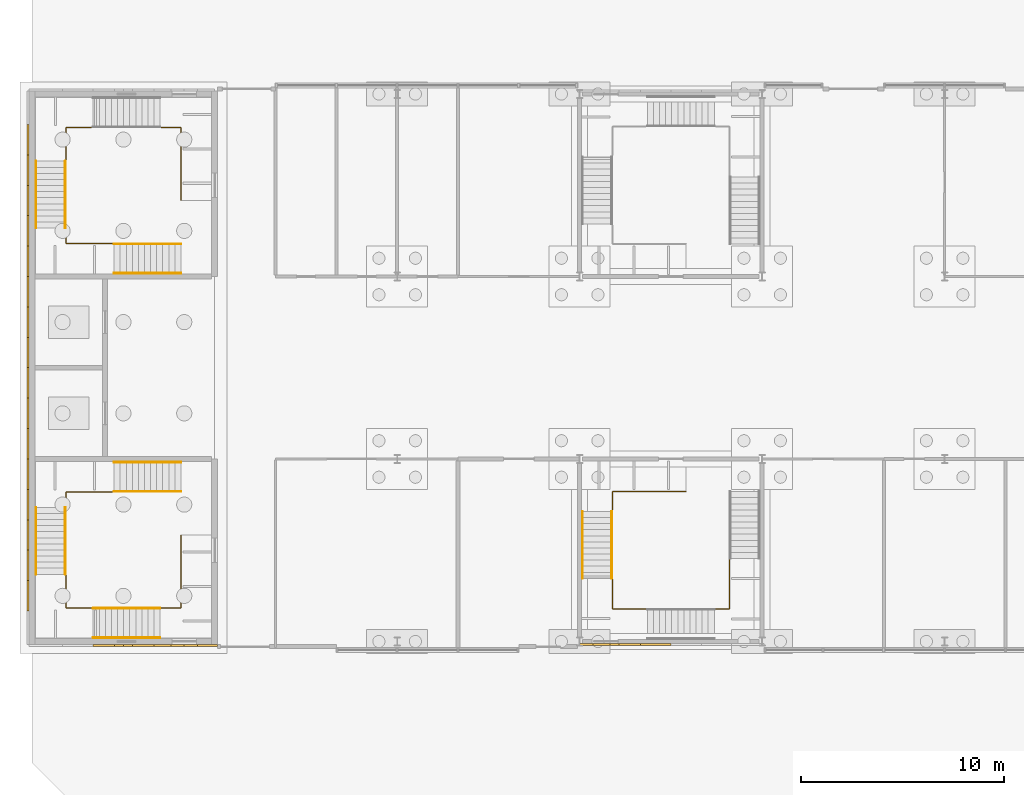
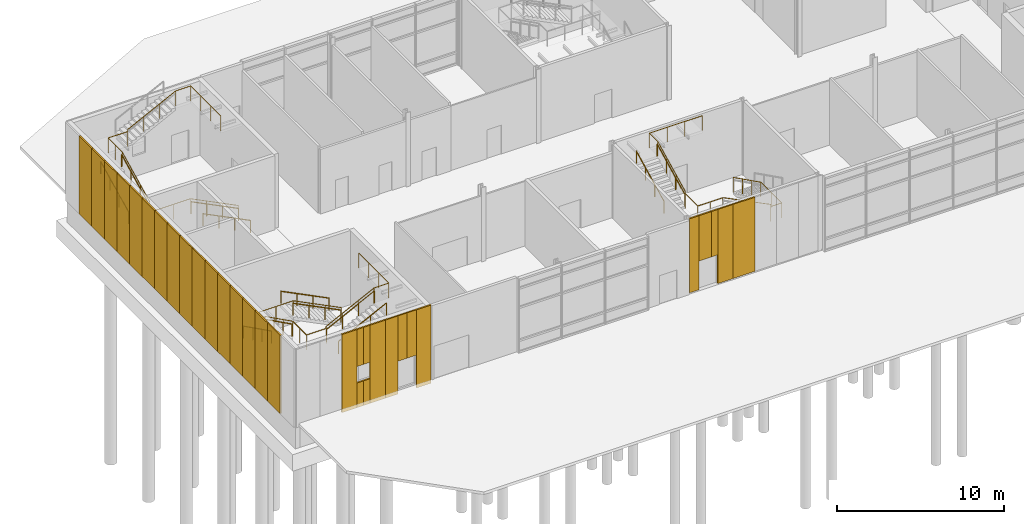
# One storey, part 39 of 45: 31 coverings, 15 railings.
"""IFC4 building model written with IfcOpenShell, lengths in metres."""

import ifcopenshell
import ifcopenshell.guid

model = None  # the IFC model being written
_history = None  # IfcOwnerHistory: only IFC2X3 demands one
_inside = {}  # id of a spatial element -> (the spatial element, [elements in it])
_under = {}  # id of a project, library or spatial element -> (it, [spatial elements below it])
_declared = {}  # id of a project -> (the project, [libraries it declares])
_typed = {}  # id of a type object -> (the type object, [elements of that type])
_made_of = {}  # id of a material, layer set ... -> (it, [elements and type objects made of it])


def new_model(schema):
    """Start an empty IFC model of exactly this schema.

    Asked for "IFC4X3", IfcOpenShell would pick the latest addendum, in which some entities
    have other attributes; the version numbers below select the first issue.
    IFC2X3 requires an IfcOwnerHistory on every rooted entity: one is made here for all.
    """
    global model, _history
    if schema == "IFC4X3":
        model = ifcopenshell.file(schema_version=(4, 3, 0, 0))
    else:
        model = ifcopenshell.file(schema=schema)
    _inside.clear()
    _under.clear()
    _declared.clear()
    _typed.clear()
    _made_of.clear()
    _history = None
    if model.schema == "IFC2X3":
        org = make("IfcOrganization", Name="unknown")
        user = make(
            "IfcPersonAndOrganization",
            ThePerson=make("IfcPerson", FamilyName="unknown"),
            TheOrganization=org,
        )
        app = make(
            "IfcApplication",
            ApplicationDeveloper=org,
            Version="unknown",
            ApplicationFullName="unknown",
            ApplicationIdentifier="unknown",
        )
        _history = make(
            "IfcOwnerHistory",
            OwningUser=user,
            OwningApplication=app,
            ChangeAction="ADDED",
            CreationDate=0,
        )
    return model


def make(cls, **values):
    """One entity of the class cls with the attributes given. An attribute that is None is left unset."""
    return model.create_entity(
        cls, **{name: value for name, value in values.items() if value is not None}
    )


def rooted(cls, **values):
    """An entity with a GlobalId (a new one), such as an element, a storey or a relation."""
    return make(cls, GlobalId=ifcopenshell.guid.new(), OwnerHistory=_history, **values)


def si_unit(unit_type, name, prefix=None):
    """IfcSIUnit, for example si_unit("LENGTHUNIT", "METRE", prefix="MILLI")."""
    return make("IfcSIUnit", UnitType=unit_type, Prefix=prefix, Name=name)


def assignment(units):
    """IfcUnitAssignment: the units of a project."""
    return None if units is None else make("IfcUnitAssignment", Units=units)


def point(xyz):
    """IfcCartesianPoint."""
    return None if xyz is None else make("IfcCartesianPoint", Coordinates=xyz)


def direction(xyz):
    """IfcDirection."""
    return None if xyz is None else make("IfcDirection", DirectionRatios=xyz)


def frame(location, z_axis=None, x_axis=None):
    """IfcAxis2Placement3D, a coordinate frame: its origin and axes. An axis left out is left unset."""
    return make(
        "IfcAxis2Placement3D",
        Location=point(location),
        Axis=direction(z_axis),
        RefDirection=direction(x_axis),
    )


def frame_2d(location, x_axis=None):
    """IfcAxis2Placement2D, a coordinate frame in the plane: its origin and x axis."""
    return make(
        "IfcAxis2Placement2D", Location=point(location), RefDirection=direction(x_axis)
    )


def origin():
    """The frame at (0, 0, 0) with its axes left unset."""
    return frame((0.0, 0.0, 0.0))


def origin_2d():
    """The frame at (0, 0) in the plane with its x axis left unset."""
    return frame_2d((0.0, 0.0))


def place(relative_to, where):
    """IfcLocalPlacement: puts the frame where relative to a parent placement (None: the world)."""
    return make(
        "IfcLocalPlacement", PlacementRelTo=relative_to, RelativePlacement=where
    )


def context(
    kind, dimensions, precision=None, world=None, true_north=None, identifier=None
):
    """IfcGeometricRepresentationContext, for example the 3D "Model" context."""
    return make(
        "IfcGeometricRepresentationContext",
        ContextIdentifier=identifier,
        ContextType=kind,
        CoordinateSpaceDimension=dimensions,
        Precision=precision,
        WorldCoordinateSystem=world,
        TrueNorth=true_north,
    )


def subcontext(parent, identifier, kind, view, scale=None):
    """IfcGeometricRepresentationSubContext, for example "Body" below "Model"."""
    return make(
        "IfcGeometricRepresentationSubContext",
        ContextIdentifier=identifier,
        ContextType=kind,
        ParentContext=parent,
        TargetScale=scale,
        TargetView=view,
    )


def project(units=None, contexts=None):
    """IfcProject with its units and contexts."""
    return rooted(
        "IfcProject",
        Name="project",
        RepresentationContexts=contexts,
        UnitsInContext=assignment(units),
    )


def spatial(cls, under=None, at=None, **own):
    """A site, building, storey or space (cls), placed at a placement, below another one or the project."""
    s = rooted(cls, ObjectPlacement=at, **own)
    if under is not None:
        _under.setdefault(under.id(), (under, []))[1].append(s)
    return s


def profile(cls, at=None, kind="AREA", **sizes):
    """A parametric profile (cls). Its sizes go by their IFC names, for example OverallWidth=200.0."""
    return make(cls, ProfileType=kind, Position=at, **sizes)


def rectangle(**sizes):
    """IfcRectangleProfileDef."""
    return profile("IfcRectangleProfileDef", **sizes)


def circle(**sizes):
    """IfcCircleProfileDef."""
    return profile("IfcCircleProfileDef", **sizes)


def extrude(swept, where, along, depth):
    """IfcExtrudedAreaSolid: the profile swept, set in the frame where, extruded along a direction by depth."""
    return make(
        "IfcExtrudedAreaSolid",
        SweptArea=swept,
        Position=where,
        ExtrudedDirection=direction(along),
        Depth=depth,
    )


def shape(context_of_items, identifier, shape_type, items):
    """IfcShapeRepresentation: the items that make up one representation, for example the "Body"."""
    return make(
        "IfcShapeRepresentation",
        ContextOfItems=context_of_items,
        RepresentationIdentifier=identifier,
        RepresentationType=shape_type,
        Items=items,
    )


def material(Name=None, Category=None):
    """IfcMaterial."""
    return make("IfcMaterial", Name=Name, Category=Category)


def layer(
    of_material, thickness, ventilated=None, Name=None, Category=None, Priority=None
):
    """IfcMaterialLayer: one layer of a wall or slab, of a material (None: an air gap)."""
    return make(
        "IfcMaterialLayer",
        Material=of_material,
        LayerThickness=thickness,
        IsVentilated=ventilated,
        Name=Name,
        Category=Category,
        Priority=Priority,
    )


def layer_set(layers, Name=None):
    """IfcMaterialLayerSet."""
    return make("IfcMaterialLayerSet", MaterialLayers=layers, LayerSetName=Name)


def made_of(thing, what):
    """Note that an element or type object is made of a material, layer set ...; save() writes the relation."""
    if what is not None:
        _made_of.setdefault(what.id(), (what, []))[1].append(thing)
    return thing


def type_object(cls, material=None, **own):
    """A type object (cls), such as IfcWallType, which elements share."""
    return made_of(rooted(cls, **own), material)


def element(
    cls,
    number,
    at=None,
    inside=None,
    cuts=None,
    type_object=None,
    material=None,
    context=None,
    identifier="Body",
    shape_type=None,
    held_by="IfcProductDefinitionShape",
    body=None,
    shapes=None,
    **own,
):
    """One element of the class cls, such as IfcWall. Its Tag is "e" and its number.

    at: its placement. inside: the storey or other place that contains it. cuts: it is an
    opening in that element (IfcRelVoidsElement). A single representation is given by context,
    identifier, shape_type and body (its items); several are given by shapes. held_by: the class
    of the entity that holds the representations. save() writes the other relations.
    """
    e = rooted(cls, Tag="e%d" % number, ObjectPlacement=at, **own)
    if body is not None:
        shapes = [shape(context, identifier, shape_type, body)]
    if shapes is not None:
        e.Representation = make(held_by, Representations=shapes)
    if inside is not None:
        _inside.setdefault(inside.id(), (inside, []))[1].append(e)
    if cuts is not None:
        rooted(
            "IfcRelVoidsElement", RelatingBuildingElement=cuts, RelatedOpeningElement=e
        )
    if type_object is not None:
        _typed.setdefault(type_object.id(), (type_object, []))[1].append(e)
    return made_of(e, material)


def aggregate(whole, parts):
    """IfcRelAggregates: a whole, such as a stair, and the parts it consists of."""
    return rooted("IfcRelAggregates", RelatingObject=whole, RelatedObjects=parts)


def save(model, path):
    """Write the relations noted so far, then the file.

    IfcRelAggregates (storeys below a building ...), IfcRelContainedInSpatialStructure (elements
    in a storey), IfcRelDefinesByType, IfcRelAssociatesMaterial and IfcRelDeclares: one each for
    every whole, place, type object, material and project.
    """
    for whole, parts in _under.values():
        aggregate(whole, parts)
    for where, things in _inside.values():
        rooted(
            "IfcRelContainedInSpatialStructure",
            RelatedElements=things,
            RelatingStructure=where,
        )
    for kind, things in _typed.values():
        rooted("IfcRelDefinesByType", RelatedObjects=things, RelatingType=kind)
    for what, things in _made_of.values():
        rooted("IfcRelAssociatesMaterial", RelatedObjects=things, RelatingMaterial=what)
    for by, libraries in _declared.values():
        rooted("IfcRelDeclares", RelatingContext=by, RelatedDefinitions=libraries)
    model.write(path)


model = new_model("IFC4")

# Units and contexts
model_context = context("Model", 3, precision=1e-05, world=origin(), true_north=direction((0.0, 1.0)))
body_context = subcontext(model_context, "Body", "Model", "MODEL_VIEW")
ifc_project = project(units=[si_unit("LENGTHUNIT", "METRE"), si_unit("AREAUNIT", "SQUARE_METRE"), si_unit("VOLUMEUNIT", "CUBIC_METRE"), si_unit("PLANEANGLEUNIT", "RADIAN"), si_unit("MASSUNIT", "GRAM", prefix="KILO")], contexts=[model_context])

# Site, building, storey
site_placement = place(None, origin())
site = spatial("IfcSite", under=ifc_project, at=site_placement, CompositionType="ELEMENT")
building_placement = place(site_placement, origin())
building = spatial("IfcBuilding", under=site, at=building_placement, Name="Azimuth Sports and Learning Centre", CompositionType="ELEMENT")
storey_placement = place(building_placement, origin())
storey = spatial("IfcBuildingStorey", under=building, at=storey_placement, Name="L00", CompositionType="ELEMENT", Elevation=0.0)

# Coverings
ifc_material_1 = material(Name="Cladding panel")
ifc_layer = layer(ifc_material_1, 0.10009765625)
ifc_layer_set = layer_set([ifc_layer], Name="Cladding panel")
covering_type = type_object("IfcCoveringType", Name="Cladding panel 100", PredefinedType="CLADDING", material=ifc_layer_set)
covering_1_placement = place(storey_placement, frame((3.52490234375, 89.800048828125, -0.2998046875), z_axis=(0.0, 0.0, 1.0), x_axis=(1.0, 0.0, 0.0)))
element("IfcCovering", 1, at=covering_1_placement, inside=storey, type_object=covering_type, Name="Cladding panel S-END W L00 3", PredefinedType="CLADDING", context=body_context, shape_type="SweptSolid", body=[
    extrude(rectangle(XDim=1.050048828125, YDim=0.10009765625, at=origin_2d()), origin(), (0.0, 0.0, 1.0), 5.699951171875),
])
covering_2_placement = place(storey_placement, frame((4.27490234375, 89.800048828125, -0.2998046875), z_axis=(0.0, 0.0, 1.0), x_axis=(1.0, 0.0, 0.0)))
element("IfcCovering", 2, at=covering_2_placement, inside=storey, type_object=covering_type, Name="Cladding panel S-END W L00 4", PredefinedType="CLADDING", context=body_context, shape_type="SweptSolid", body=[
    extrude(rectangle(XDim=0.449951171875, YDim=0.10009765625, at=origin_2d()), origin(), (0.0, 0.0, 1.0), 1.800048828125),
])
covering_3_placement = place(storey_placement, frame((4.27490234375, 89.800048828125, 2.7001953125), z_axis=(0.0, 0.0, 1.0), x_axis=(1.0, 0.0, 0.0)))
element("IfcCovering", 3, at=covering_3_placement, inside=storey, type_object=covering_type, Name="Cladding panel S-END W L00 5", PredefinedType="CLADDING", context=body_context, shape_type="SweptSolid", body=[
    extrude(rectangle(XDim=0.449951171875, YDim=0.10009765625, at=origin_2d()), origin(), (0.0, 0.0, 1.0), 2.699951171875),
])
covering_4_placement = place(storey_placement, frame((5.47509765625, 89.800048828125, -0.2998046875), z_axis=(0.0, 0.0, 1.0), x_axis=(1.0, 0.0, 0.0)))
element("IfcCovering", 4, at=covering_4_placement, inside=storey, type_object=covering_type, Name="Cladding panel S-END W L00 6", PredefinedType="CLADDING", context=body_context, shape_type="SweptSolid", body=[
    extrude(rectangle(XDim=1.050048828125, YDim=0.10009765625, at=origin_2d()), origin(), (0.0, 0.0, 1.0), 5.699951171875),
])
covering_5_placement = place(storey_placement, frame((4.72509765625, 89.800048828125, -0.2998046875), z_axis=(0.0, 0.0, 1.0), x_axis=(1.0, 0.0, 0.0)))
element("IfcCovering", 5, at=covering_5_placement, inside=storey, type_object=covering_type, Name="Cladding panel S-END W L00 7", PredefinedType="CLADDING", context=body_context, shape_type="SweptSolid", body=[
    extrude(rectangle(XDim=0.449951171875, YDim=0.10009765625, at=origin_2d()), origin(), (0.0, 0.0, 1.0), 1.800048828125),
])
covering_6_placement = place(storey_placement, frame((4.72509765625, 89.800048828125, 2.7001953125), z_axis=(0.0, 0.0, 1.0), x_axis=(1.0, 0.0, 0.0)))
element("IfcCovering", 6, at=covering_6_placement, inside=storey, type_object=covering_type, Name="Cladding panel S-END W L00 8", PredefinedType="CLADDING", context=body_context, shape_type="SweptSolid", body=[
    extrude(rectangle(XDim=0.449951171875, YDim=0.10009765625, at=origin_2d()), origin(), (0.0, 0.0, 1.0), 2.699951171875),
])
covering_7_placement = place(storey_placement, frame((7.175048828125, 89.800048828125, 2.10009765625), z_axis=(0.0, 0.0, 1.0), x_axis=(1.0, 0.0, 0.0)))
element("IfcCovering", 7, at=covering_7_placement, inside=storey, type_object=covering_type, Name="Cladding panel S-END W L00 9", PredefinedType="CLADDING", context=body_context, shape_type="SweptSolid", body=[
    extrude(rectangle(XDim=0.64990234375, YDim=0.10009765625, at=origin_2d()), origin(), (0.0, 0.0, 1.0), 3.300048828125),
])
covering_8_placement = place(storey_placement, frame((6.425048828125, 89.800048828125, -0.2998046875), z_axis=(0.0, 0.0, 1.0), x_axis=(1.0, 0.0, 0.0)))
element("IfcCovering", 8, at=covering_8_placement, inside=storey, type_object=covering_type, Name="Cladding panel S-END W L00 10", PredefinedType="CLADDING", context=body_context, shape_type="SweptSolid", body=[
    extrude(rectangle(XDim=0.85009765625, YDim=0.10009765625, at=origin_2d()), origin(), (0.0, 0.0, 1.0), 5.699951171875),
])
covering_9_placement = place(storey_placement, frame((7.824951171875, 89.800048828125, 2.10009765625), z_axis=(0.0, 0.0, 1.0), x_axis=(1.0, 0.0, 0.0)))
element("IfcCovering", 9, at=covering_9_placement, inside=storey, type_object=covering_type, Name="Cladding panel S-END W L00 11", PredefinedType="CLADDING", context=body_context, shape_type="SweptSolid", body=[
    extrude(rectangle(XDim=0.64990234375, YDim=0.10009765625, at=origin_2d()), origin(), (0.0, 0.0, 1.0), 3.300048828125),
])
covering_10_placement = place(storey_placement, frame((8.64990234375, 89.800048828125, -0.2998046875), z_axis=(0.0, 0.0, 1.0), x_axis=(1.0, 0.0, 0.0)))
element("IfcCovering", 10, at=covering_10_placement, inside=storey, type_object=covering_type, Name="Cladding panel S-END W L00 12", PredefinedType="CLADDING", context=body_context, shape_type="SweptSolid", body=[
    extrude(rectangle(XDim=1.0, YDim=0.10009765625, at=origin_2d()), origin(), (0.0, 0.0, 1.0), 5.699951171875),
])
covering_11_placement = place(storey_placement, frame((28.074951171875, 89.85009765625, 2.10009765625), z_axis=(0.0, 0.0, 1.0), x_axis=(1.0, 0.0, 0.0)))
element("IfcCovering", 11, at=covering_11_placement, inside=storey, type_object=covering_type, Name="Cladding panel S-WM1 L00 1", PredefinedType="CLADDING", context=body_context, shape_type="SweptSolid", body=[
    extrude(rectangle(XDim=0.85009765625, YDim=0.10009765625, at=origin_2d()), origin(), (0.0, 0.0, 1.0), 3.300048828125),
])
covering_12_placement = place(storey_placement, frame((27.324951171875, 89.85009765625, 0.0), z_axis=(0.0, 0.0, 1.0), x_axis=(1.0, 0.0, 0.0)))
element("IfcCovering", 12, at=covering_12_placement, inside=storey, type_object=covering_type, Name="Cladding panel S-WM1 L00 2", PredefinedType="CLADDING", context=body_context, shape_type="SweptSolid", body=[
    extrude(rectangle(XDim=0.64990234375, YDim=0.10009765625, at=origin_2d()), origin(), (0.0, 0.0, 1.0), 5.39990234375),
])
covering_13_placement = place(storey_placement, frame((28.72509765625, 89.85009765625, 2.10009765625), z_axis=(0.0, 0.0, 1.0), x_axis=(1.0, 0.0, 0.0)))
element("IfcCovering", 13, at=covering_13_placement, inside=storey, type_object=covering_type, Name="Cladding panel S-WM1 L00 3", PredefinedType="CLADDING", context=body_context, shape_type="SweptSolid", body=[
    extrude(rectangle(XDim=0.449951171875, YDim=0.10009765625, at=origin_2d()), origin(), (0.0, 0.0, 1.0), 3.300048828125),
])
covering_14_placement = place(storey_placement, frame((29.47509765625, 89.85009765625, 0.0), z_axis=(0.0, 0.0, 1.0), x_axis=(1.0, 0.0, 0.0)))
element("IfcCovering", 14, at=covering_14_placement, inside=storey, type_object=covering_type, Name="Cladding panel S-WM1 L00 4", PredefinedType="CLADDING", context=body_context, shape_type="SweptSolid", body=[
    extrude(rectangle(XDim=1.050048828125, YDim=0.10009765625, at=origin_2d()), origin(), (0.0, 0.0, 1.0), 5.39990234375),
])
covering_15_placement = place(storey_placement, frame((30.75, 89.85009765625, 0.0), z_axis=(0.0, 0.0, 1.0), x_axis=(1.0, 0.0, 0.0)))
element("IfcCovering", 15, at=covering_15_placement, inside=storey, type_object=covering_type, Name="Cladding panel S-WM1 L00 5", PredefinedType="CLADDING", context=body_context, shape_type="SweptSolid", body=[
    extrude(rectangle(XDim=1.5, YDim=0.10009765625, at=origin_2d()), origin(), (0.0, 0.0, 1.0), 5.39990234375),
])
for number, where, z_axis, x_axis, name in (
    (16, (-0.199951171875, 114.75, -0.2998046875), (0.0, 0.0, 1.0), (0.0, -1.0, 0.0), "Cladding panel W-END W L00 2"),
    (17, (-0.199951171875, 113.25, -0.2998046875), (0.0, 0.0, 1.0), (0.0, -1.0, 0.0), "Cladding panel W-END W L00 3"),
    (18, (-0.199951171875, 111.75, -0.2998046875), (0.0, 0.0, 1.0), (0.0, -1.0, 0.0), "Cladding panel W-END W L00 4"),
    (19, (-0.199951171875, 110.25, -0.2998046875), (0.0, 0.0, 1.0), (0.0, -1.0, 0.0), "Cladding panel W-END W L00 5"),
    (20, (-0.199951171875, 108.75, -0.2998046875), (0.0, 0.0, 1.0), (0.0, -1.0, 0.0), "Cladding panel W-END W L00 6"),
    (21, (-0.199951171875, 107.25, -0.2998046875), (0.0, 0.0, 1.0), (0.0, -1.0, 0.0), "Cladding panel W-END W L00 7"),
    (22, (-0.199951171875, 105.75, -0.2998046875), (0.0, 0.0, 1.0), (0.0, -1.0, 0.0), "Cladding panel W-END W L00 8"),
    (23, (-0.199951171875, 104.25, -0.2998046875), (0.0, 0.0, 1.0), (0.0, -1.0, 0.0), "Cladding panel W-END W L00 9"),
    (24, (-0.199951171875, 102.75, -0.2998046875), (0.0, 0.0, 1.0), (0.0, -1.0, 0.0), "Cladding panel W-END W L00 10"),
    (25, (-0.199951171875, 101.25, -0.2998046875), (0.0, 0.0, 1.0), (0.0, -1.0, 0.0), "Cladding panel W-END W L00 11"),
    (26, (-0.199951171875, 99.75, -0.2998046875), (0.0, 0.0, 1.0), (0.0, -1.0, 0.0), "Cladding panel W-END W L00 12"),
    (27, (-0.199951171875, 98.25, -0.2998046875), (0.0, 0.0, 1.0), (0.0, -1.0, 0.0), "Cladding panel W-END W L00 13"),
    (28, (-0.199951171875, 96.75, -0.2998046875), (0.0, 0.0, 1.0), (0.0, -1.0, 0.0), "Cladding panel W-END W L00 14"),
    (29, (-0.199951171875, 95.25, -0.2998046875), (0.0, 0.0, 1.0), (0.0, -1.0, 0.0), "Cladding panel W-END W L00 15"),
    (30, (-0.199951171875, 93.75, -0.2998046875), (0.0, 0.0, 1.0), (0.0, -1.0, 0.0), "Cladding panel W-END W L00 16"),
    (31, (-0.199951171875, 92.25, -0.2998046875), (0.0, 0.0, 1.0), (0.0, -1.0, 0.0), "Cladding panel W-END W L00 17"),
):
    element("IfcCovering", number, at=place(storey_placement, frame(where, z_axis=z_axis, x_axis=x_axis)), inside=storey, type_object=covering_type, Name=name, PredefinedType="CLADDING", context=body_context, shape_type="SweptSolid", body=[
        extrude(rectangle(XDim=1.5, YDim=0.10009765625, at=origin_2d()), origin(), (0.0, 0.0, 1.0), 5.699951171875),
    ])

# Railings
ifc_material_2 = material(Name="Stainless steel", Category="steel")
railing_type_1 = type_object("IfcRailingType", Name="Stair guard 1100", PredefinedType="GUARDRAIL", material=ifc_material_2)
railing_1_placement = place(storey_placement, frame((7.340087890625, 97.364990234375, 0.14990234375)))
element("IfcRailing", 32, at=railing_1_placement, inside=storey, type_object=railing_type_1, Name="Guard WW1 L00 well", PredefinedType="GUARDRAIL", context=body_context, shape_type="SweptSolid", body=[
    extrude(circle(Radius=0.02392578125, at=origin_2d()), frame((0.0, 0.0, 1.076171875), z_axis=(-0.894413956696, 0.0, 0.447240063129), x_axis=(0.0, -1.0, 0.0)), (0.0, 0.0, 1.0), 3.689697265625),
    extrude(circle(Radius=0.02392578125, at=origin_2d()), frame((-3.300048828125, 0.0, 2.72607421875), z_axis=(-1.0, 0.0, 0.0), x_axis=(0.0, -1.0, 0.0)), (0.0, 0.0, 1.0), 2.380126953125),
    extrude(circle(Radius=0.02392578125, at=origin_2d()), frame((-5.68017578125, 0.0, 2.72607421875), z_axis=(0.0, -1.0, 0.0), x_axis=(1.0, 0.0, 0.0)), (0.0, 0.0, 1.0), 0.75),
    extrude(circle(Radius=0.02392578125, at=origin_2d()), frame((-5.68017578125, -0.75, 2.72607421875), z_axis=(0.0, 0.0, 1.0), x_axis=(1.0, 0.0, 0.0)), (0.0, 0.0, 1.0), 0.14990234375),
    extrude(circle(Radius=0.02392578125, at=origin_2d()), frame((-5.68017578125, -0.75, 2.8759765625), z_axis=(0.0, -0.894413956696, 0.447240063129), x_axis=(1.0, 0.0, 0.0)), (0.0, 0.0, 1.0), 3.689697265625),
    extrude(circle(Radius=0.02392578125, at=origin_2d()), frame((-5.68017578125, -4.050048828125, 4.5263671875), z_axis=(0.0, -1.0, 0.0), x_axis=(1.0, 0.0, 0.0)), (0.0, 0.0, 1.0), 1.655029296875),
    extrude(circle(Radius=0.02392578125, at=origin_2d()), frame((-5.68017578125, -5.705078125, 4.5263671875), z_axis=(1.0, 0.0, 0.0), x_axis=(0.0, 1.0, 0.0)), (0.0, 0.0, 1.0), 1.35009765625),
    extrude(circle(Radius=0.02392578125, at=origin_2d()), frame((-4.330078125, -5.705078125, 4.5263671875), z_axis=(0.0, 0.0, 1.0), x_axis=(1.0, 0.0, 0.0)), (0.0, 0.0, 1.0), 0.14990234375),
    extrude(circle(Radius=0.02392578125, at=origin_2d()), frame((-4.330078125, -5.705078125, 4.67626953125), z_axis=(0.894440424912, 0.0, 0.447187126696), x_axis=(0.0, 1.0, 0.0)), (0.0, 0.0, 1.0), 3.689453125),
    extrude(circle(Radius=0.02392578125, at=origin_2d()), frame((-1.030029296875, -5.705078125, 6.326171875), z_axis=(1.0, 0.0, 0.0), x_axis=(0.0, 1.0, 0.0)), (0.0, 0.0, 1.0), 1.030029296875),
    extrude(circle(Radius=0.02392578125, at=origin_2d()), frame((0.0, -5.705078125, 6.326171875), z_axis=(0.0, 1.0, 0.0), x_axis=(-1.0, 0.0, 0.0)), (0.0, 0.0, 1.0), 3.590087890625),
    extrude(circle(Radius=0.01611328125, at=origin_2d()), origin(), (0.0, 0.0, 1.0), 1.052001953125),
    extrude(circle(Radius=0.01611328125, at=origin_2d()), frame((-1.10009765625, 0.0, 0.550048828125)), (0.0, 0.0, 1.0), 1.052001953125),
    extrude(circle(Radius=0.01611328125, at=origin_2d()), frame((-2.199951171875, 0.0, 1.10009765625)), (0.0, 0.0, 1.0), 1.052001953125),
    extrude(circle(Radius=0.01611328125, at=origin_2d()), frame((-3.300048828125, 0.0, 1.650146484375)), (0.0, 0.0, 1.0), 1.052001953125),
    extrude(circle(Radius=0.01611328125, at=origin_2d()), frame((-4.490234375, 0.0, 1.650146484375)), (0.0, 0.0, 1.0), 1.052001953125),
    extrude(circle(Radius=0.01611328125, at=origin_2d()), frame((-5.68017578125, 0.0, 1.650146484375)), (0.0, 0.0, 1.0), 1.052001953125),
    extrude(circle(Radius=0.01611328125, at=origin_2d()), frame((-5.68017578125, -0.75, 1.650146484375)), (0.0, 0.0, 1.0), 1.052001953125),
    extrude(circle(Radius=0.01611328125, at=origin_2d()), frame((-5.68017578125, -0.75, 1.800048828125)), (0.0, 0.0, 1.0), 1.052001953125),
    extrude(circle(Radius=0.01611328125, at=origin_2d()), frame((-5.68017578125, -1.85009765625, 2.35009765625)), (0.0, 0.0, 1.0), 1.052001953125),
    extrude(circle(Radius=0.01611328125, at=origin_2d()), frame((-5.68017578125, -2.949951171875, 2.900146484375)), (0.0, 0.0, 1.0), 1.052001953125),
    extrude(circle(Radius=0.01611328125, at=origin_2d()), frame((-5.68017578125, -4.050048828125, 3.4501953125)), (0.0, 0.0, 1.0), 1.052001953125),
    extrude(circle(Radius=0.01611328125, at=origin_2d()), frame((-5.68017578125, -4.87744140625, 3.4501953125)), (0.0, 0.0, 1.0), 1.052001953125),
    extrude(circle(Radius=0.01611328125, at=origin_2d()), frame((-5.68017578125, -5.705078125, 3.4501953125)), (0.0, 0.0, 1.0), 1.052001953125),
    extrude(circle(Radius=0.01611328125, at=origin_2d()), frame((-4.330078125, -5.705078125, 3.4501953125)), (0.0, 0.0, 1.0), 1.052001953125),
    extrude(circle(Radius=0.01611328125, at=origin_2d()), frame((-4.330078125, -5.705078125, 3.60009765625)), (0.0, 0.0, 1.0), 1.052001953125),
    extrude(circle(Radius=0.01611328125, at=origin_2d()), frame((-3.22998046875, -5.705078125, 4.150146484375)), (0.0, 0.0, 1.0), 1.052001953125),
    extrude(circle(Radius=0.01611328125, at=origin_2d()), frame((-2.130126953125, -5.705078125, 4.699951171875)), (0.0, 0.0, 1.0), 1.052001953125),
    extrude(circle(Radius=0.01611328125, at=origin_2d()), frame((-1.030029296875, -5.705078125, 5.25)), (0.0, 0.0, 1.0), 1.052001953125),
    extrude(circle(Radius=0.01611328125, at=origin_2d()), frame((0.0, -5.705078125, 5.25)), (0.0, 0.0, 1.0), 1.052001953125),
    extrude(circle(Radius=0.01611328125, at=origin_2d()), frame((0.0, -4.50830078125, 5.25)), (0.0, 0.0, 1.0), 1.052001953125),
    extrude(circle(Radius=0.01611328125, at=origin_2d()), frame((0.0, -3.311767578125, 5.25)), (0.0, 0.0, 1.0), 1.052001953125),
    extrude(circle(Radius=0.01611328125, at=origin_2d()), frame((0.0, -2.114990234375, 5.25)), (0.0, 0.0, 1.0), 1.052001953125),
])
railing_2_placement = place(storey_placement, frame((7.340087890625, 109.635009765625, 0.14990234375)))
element("IfcRailing", 33, at=railing_2_placement, inside=storey, type_object=railing_type_1, Name="Guard WW2 L00 well", PredefinedType="GUARDRAIL", context=body_context, shape_type="SweptSolid", body=[
    extrude(circle(Radius=0.02392578125, at=origin_2d()), frame((0.0, 0.0, 1.076171875), z_axis=(-0.894413956696, 0.0, 0.447240063129), x_axis=(0.0, -1.0, 0.0)), (0.0, 0.0, 1.0), 3.689697265625),
    extrude(circle(Radius=0.02392578125, at=origin_2d()), frame((-3.300048828125, 0.0, 2.72607421875), z_axis=(-1.0, 0.0, 0.0), x_axis=(0.0, -1.0, 0.0)), (0.0, 0.0, 1.0), 2.380126953125),
    extrude(circle(Radius=0.02392578125, at=origin_2d()), frame((-5.68017578125, 0.0, 2.72607421875), z_axis=(0.0, 1.0, 0.0), x_axis=(-1.0, 0.0, 0.0)), (0.0, 0.0, 1.0), 0.75),
    extrude(circle(Radius=0.02392578125, at=origin_2d()), frame((-5.68017578125, 0.75, 2.72607421875), z_axis=(0.0, 0.0, 1.0), x_axis=(1.0, 0.0, 0.0)), (0.0, 0.0, 1.0), 0.14990234375),
    extrude(circle(Radius=0.02392578125, at=origin_2d()), frame((-5.68017578125, 0.75, 2.8759765625), z_axis=(0.0, 0.894413956696, 0.447240063129), x_axis=(-1.0, 0.0, 0.0)), (0.0, 0.0, 1.0), 3.689697265625),
    extrude(circle(Radius=0.02392578125, at=origin_2d()), frame((-5.68017578125, 4.050048828125, 4.5263671875), z_axis=(0.0, 1.0, 0.0), x_axis=(-1.0, 0.0, 0.0)), (0.0, 0.0, 1.0), 1.655029296875),
    extrude(circle(Radius=0.02392578125, at=origin_2d()), frame((-5.68017578125, 5.705078125, 4.5263671875), z_axis=(1.0, 0.0, 0.0), x_axis=(0.0, 1.0, 0.0)), (0.0, 0.0, 1.0), 1.35009765625),
    extrude(circle(Radius=0.02392578125, at=origin_2d()), frame((-4.330078125, 5.705078125, 4.5263671875), z_axis=(0.0, 0.0, 1.0), x_axis=(1.0, 0.0, 0.0)), (0.0, 0.0, 1.0), 0.14990234375),
    extrude(circle(Radius=0.02392578125, at=origin_2d()), frame((-4.330078125, 5.705078125, 4.67626953125), z_axis=(0.894440424912, 0.0, 0.447187126696), x_axis=(0.0, 1.0, 0.0)), (0.0, 0.0, 1.0), 3.689453125),
    extrude(circle(Radius=0.02392578125, at=origin_2d()), frame((-1.030029296875, 5.705078125, 6.326171875), z_axis=(1.0, 0.0, 0.0), x_axis=(0.0, 1.0, 0.0)), (0.0, 0.0, 1.0), 1.030029296875),
    extrude(circle(Radius=0.02392578125, at=origin_2d()), frame((0.0, 5.705078125, 6.326171875), z_axis=(0.0, -1.0, 0.0), x_axis=(1.0, 0.0, 0.0)), (0.0, 0.0, 1.0), 3.590087890625),
    extrude(circle(Radius=0.01611328125, at=origin_2d()), origin(), (0.0, 0.0, 1.0), 1.052001953125),
    extrude(circle(Radius=0.01611328125, at=origin_2d()), frame((-1.10009765625, 0.0, 0.550048828125)), (0.0, 0.0, 1.0), 1.052001953125),
    extrude(circle(Radius=0.01611328125, at=origin_2d()), frame((-2.199951171875, 0.0, 1.10009765625)), (0.0, 0.0, 1.0), 1.052001953125),
    extrude(circle(Radius=0.01611328125, at=origin_2d()), frame((-3.300048828125, 0.0, 1.650146484375)), (0.0, 0.0, 1.0), 1.052001953125),
    extrude(circle(Radius=0.01611328125, at=origin_2d()), frame((-4.490234375, 0.0, 1.650146484375)), (0.0, 0.0, 1.0), 1.052001953125),
    extrude(circle(Radius=0.01611328125, at=origin_2d()), frame((-5.68017578125, 0.0, 1.650146484375)), (0.0, 0.0, 1.0), 1.052001953125),
    extrude(circle(Radius=0.01611328125, at=origin_2d()), frame((-5.68017578125, 0.75, 1.650146484375)), (0.0, 0.0, 1.0), 1.052001953125),
    extrude(circle(Radius=0.01611328125, at=origin_2d()), frame((-5.68017578125, 0.75, 1.800048828125)), (0.0, 0.0, 1.0), 1.052001953125),
    extrude(circle(Radius=0.01611328125, at=origin_2d()), frame((-5.68017578125, 1.85009765625, 2.35009765625)), (0.0, 0.0, 1.0), 1.052001953125),
    extrude(circle(Radius=0.01611328125, at=origin_2d()), frame((-5.68017578125, 2.949951171875, 2.900146484375)), (0.0, 0.0, 1.0), 1.052001953125),
    extrude(circle(Radius=0.01611328125, at=origin_2d()), frame((-5.68017578125, 4.050048828125, 3.4501953125)), (0.0, 0.0, 1.0), 1.052001953125),
    extrude(circle(Radius=0.01611328125, at=origin_2d()), frame((-5.68017578125, 4.87744140625, 3.4501953125)), (0.0, 0.0, 1.0), 1.052001953125),
    extrude(circle(Radius=0.01611328125, at=origin_2d()), frame((-5.68017578125, 5.705078125, 3.4501953125)), (0.0, 0.0, 1.0), 1.052001953125),
    extrude(circle(Radius=0.01611328125, at=origin_2d()), frame((-4.330078125, 5.705078125, 3.4501953125)), (0.0, 0.0, 1.0), 1.052001953125),
    extrude(circle(Radius=0.01611328125, at=origin_2d()), frame((-4.330078125, 5.705078125, 3.60009765625)), (0.0, 0.0, 1.0), 1.052001953125),
    extrude(circle(Radius=0.01611328125, at=origin_2d()), frame((-3.22998046875, 5.705078125, 4.150146484375)), (0.0, 0.0, 1.0), 1.052001953125),
    extrude(circle(Radius=0.01611328125, at=origin_2d()), frame((-2.130126953125, 5.705078125, 4.699951171875)), (0.0, 0.0, 1.0), 1.052001953125),
    extrude(circle(Radius=0.01611328125, at=origin_2d()), frame((-1.030029296875, 5.705078125, 5.25)), (0.0, 0.0, 1.0), 1.052001953125),
    extrude(circle(Radius=0.01611328125, at=origin_2d()), frame((0.0, 5.705078125, 5.25)), (0.0, 0.0, 1.0), 1.052001953125),
    extrude(circle(Radius=0.01611328125, at=origin_2d()), frame((0.0, 4.50830078125, 5.25)), (0.0, 0.0, 1.0), 1.052001953125),
    extrude(circle(Radius=0.01611328125, at=origin_2d()), frame((0.0, 3.311767578125, 5.25)), (0.0, 0.0, 1.0), 1.052001953125),
    extrude(circle(Radius=0.01611328125, at=origin_2d()), frame((0.0, 2.114990234375, 5.25)), (0.0, 0.0, 1.0), 1.052001953125),
])
railing_3_placement = place(storey_placement, frame((34.389892578125, 97.389892578125, 0.14990234375)))
element("IfcRailing", 34, at=railing_3_placement, inside=storey, type_object=railing_type_1, Name="Guard WM1 L00 well", PredefinedType="GUARDRAIL", context=body_context, shape_type="SweptSolid", body=[
    extrude(circle(Radius=0.02392578125, at=origin_2d()), frame((0.0, 0.0, 1.076171875), z_axis=(0.0, -0.894400720042, 0.447266533499), x_axis=(1.0, 0.0, 0.0)), (0.0, 0.0, 1.0), 3.689453125),
    extrude(circle(Radius=0.02392578125, at=origin_2d()), frame((0.0, -3.2998046875, 2.72607421875), z_axis=(0.0, -1.0, 0.0), x_axis=(1.0, 0.0, 0.0)), (0.0, 0.0, 1.0), 2.47998046875),
    extrude(circle(Radius=0.02392578125, at=origin_2d()), frame((0.0, -5.77978515625, 2.72607421875), z_axis=(-1.0, 0.0, 0.0), x_axis=(0.0, -1.0, 0.0)), (0.0, 0.0, 1.0), 0.75),
    extrude(circle(Radius=0.02392578125, at=origin_2d()), frame((-0.75, -5.77978515625, 2.72607421875), z_axis=(0.0, 0.0, 1.0), x_axis=(1.0, 0.0, 0.0)), (0.0, 0.0, 1.0), 0.14990234375),
    extrude(circle(Radius=0.02392578125, at=origin_2d()), frame((-0.75, -5.77978515625, 2.8759765625), z_axis=(-0.894400720042, 0.0, 0.447266533499), x_axis=(0.0, -1.0, 0.0)), (0.0, 0.0, 1.0), 3.689453125),
    extrude(circle(Radius=0.02392578125, at=origin_2d()), frame((-4.0498046875, -5.77978515625, 4.5263671875), z_axis=(-1.0, 0.0, 0.0), x_axis=(0.0, -1.0, 0.0)), (0.0, 0.0, 1.0), 1.72998046875),
    extrude(circle(Radius=0.02392578125, at=origin_2d()), frame((-5.77978515625, -5.77978515625, 4.5263671875), z_axis=(0.0, 1.0, 0.0), x_axis=(-1.0, 0.0, 0.0)), (0.0, 0.0, 1.0), 1.5),
    extrude(circle(Radius=0.02392578125, at=origin_2d()), frame((-5.77978515625, -4.27978515625, 4.5263671875), z_axis=(0.0, 0.0, 1.0), x_axis=(1.0, 0.0, 0.0)), (0.0, 0.0, 1.0), 0.14990234375),
    extrude(circle(Radius=0.02392578125, at=origin_2d()), frame((-5.77978515625, -4.27978515625, 4.67626953125), z_axis=(0.0, 0.894427191, 0.4472135955), x_axis=(-1.0, 0.0, 0.0)), (0.0, 0.0, 1.0), 3.689208984375),
    extrude(circle(Radius=0.02392578125, at=origin_2d()), frame((-5.77978515625, -0.97998046875, 6.326171875), z_axis=(0.0, 1.0, 0.0), x_axis=(-1.0, 0.0, 0.0)), (0.0, 0.0, 1.0), 0.97998046875),
    extrude(circle(Radius=0.02392578125, at=origin_2d()), frame((-5.77978515625, 0.0, 6.326171875), z_axis=(1.0, 0.0, 0.0), x_axis=(0.0, 1.0, 0.0)), (0.0, 0.0, 1.0), 3.639892578125),
    extrude(circle(Radius=0.01611328125, at=origin_2d()), origin(), (0.0, 0.0, 1.0), 1.052001953125),
    extrude(circle(Radius=0.01611328125, at=origin_2d()), frame((0.0, -1.099853515625, 0.550048828125)), (0.0, 0.0, 1.0), 1.052001953125),
    extrude(circle(Radius=0.01611328125, at=origin_2d()), frame((0.0, -2.199951171875, 1.10009765625)), (0.0, 0.0, 1.0), 1.052001953125),
    extrude(circle(Radius=0.01611328125, at=origin_2d()), frame((0.0, -3.2998046875, 1.650146484375)), (0.0, 0.0, 1.0), 1.052001953125),
    extrude(circle(Radius=0.01611328125, at=origin_2d()), frame((0.0, -4.539794921875, 1.650146484375)), (0.0, 0.0, 1.0), 1.052001953125),
    extrude(circle(Radius=0.01611328125, at=origin_2d()), frame((0.0, -5.77978515625, 1.650146484375)), (0.0, 0.0, 1.0), 1.052001953125),
    extrude(circle(Radius=0.01611328125, at=origin_2d()), frame((-0.75, -5.77978515625, 1.650146484375)), (0.0, 0.0, 1.0), 1.052001953125),
    extrude(circle(Radius=0.01611328125, at=origin_2d()), frame((-0.75, -5.77978515625, 1.800048828125)), (0.0, 0.0, 1.0), 1.052001953125),
    extrude(circle(Radius=0.01611328125, at=origin_2d()), frame((-1.849853515625, -5.77978515625, 2.35009765625)), (0.0, 0.0, 1.0), 1.052001953125),
    extrude(circle(Radius=0.01611328125, at=origin_2d()), frame((-2.949951171875, -5.77978515625, 2.900146484375)), (0.0, 0.0, 1.0), 1.052001953125),
    extrude(circle(Radius=0.01611328125, at=origin_2d()), frame((-4.0498046875, -5.77978515625, 3.4501953125)), (0.0, 0.0, 1.0), 1.052001953125),
    extrude(circle(Radius=0.01611328125, at=origin_2d()), frame((-4.914794921875, -5.77978515625, 3.4501953125)), (0.0, 0.0, 1.0), 1.052001953125),
    extrude(circle(Radius=0.01611328125, at=origin_2d()), frame((-5.77978515625, -5.77978515625, 3.4501953125)), (0.0, 0.0, 1.0), 1.052001953125),
    extrude(circle(Radius=0.01611328125, at=origin_2d()), frame((-5.77978515625, -4.27978515625, 3.4501953125)), (0.0, 0.0, 1.0), 1.052001953125),
    extrude(circle(Radius=0.01611328125, at=origin_2d()), frame((-5.77978515625, -4.27978515625, 3.60009765625)), (0.0, 0.0, 1.0), 1.052001953125),
    extrude(circle(Radius=0.01611328125, at=origin_2d()), frame((-5.77978515625, -3.179931640625, 4.150146484375)), (0.0, 0.0, 1.0), 1.052001953125),
    extrude(circle(Radius=0.01611328125, at=origin_2d()), frame((-5.77978515625, -2.079833984375, 4.699951171875)), (0.0, 0.0, 1.0), 1.052001953125),
    extrude(circle(Radius=0.01611328125, at=origin_2d()), frame((-5.77978515625, -0.97998046875, 5.25)), (0.0, 0.0, 1.0), 1.052001953125),
    extrude(circle(Radius=0.01611328125, at=origin_2d()), frame((-5.77978515625, 0.0, 5.25)), (0.0, 0.0, 1.0), 1.052001953125),
    extrude(circle(Radius=0.01611328125, at=origin_2d()), frame((-4.56640625, 0.0, 5.25)), (0.0, 0.0, 1.0), 1.052001953125),
    extrude(circle(Radius=0.01611328125, at=origin_2d()), frame((-3.353271484375, 0.0, 5.25)), (0.0, 0.0, 1.0), 1.052001953125),
    extrude(circle(Radius=0.01611328125, at=origin_2d()), frame((-2.139892578125, 0.0, 5.25)), (0.0, 0.0, 1.0), 1.052001953125),
])
ifc_material_3 = material(Name="Stainless steel", Category="steel")
railing_type_2 = type_object("IfcRailingType", Name="Stair handrail 42", PredefinedType="HANDRAIL", material=ifc_material_3)
for number, where, name in (
    (35, (7.340087890625, 97.39501953125, 0.14990234375), "Handrail WW1 L00 flight 1 inner"),
    (36, (7.340087890625, 98.8349609375, 0.14990234375), "Handrail WW1 L00 flight 1 outer"),
):
    element("IfcRailing", number, at=place(storey_placement, frame(where)), inside=storey, type_object=railing_type_2, Name=name, PredefinedType="HANDRAIL", context=body_context, shape_type="SweptSolid", body=[
        extrude(circle(Radius=0.02099609375, at=origin_2d()), frame((0.0, 0.0, 0.87890625), z_axis=(-0.894413956696, 0.0, 0.447240063129), x_axis=(0.0, -1.0, 0.0)), (0.0, 0.0, 1.0), 3.689697265625),
        extrude(circle(Radius=0.01611328125, at=origin_2d()), origin(), (0.0, 0.0, 1.0), 0.85791015625),
        extrude(circle(Radius=0.01611328125, at=origin_2d()), frame((-1.10009765625, 0.0, 0.550048828125)), (0.0, 0.0, 1.0), 0.85791015625),
        extrude(circle(Radius=0.01611328125, at=origin_2d()), frame((-2.199951171875, 0.0, 1.10009765625)), (0.0, 0.0, 1.0), 0.85791015625),
        extrude(circle(Radius=0.01611328125, at=origin_2d()), frame((-3.300048828125, 0.0, 1.650146484375)), (0.0, 0.0, 1.0), 0.85791015625),
    ])
for number, where, name in (
    (37, (1.6298828125, 96.614990234375, 1.949951171875), "Handrail WW1 L00 flight 2 inner"),
    (38, (0.18994140625, 96.614990234375, 1.949951171875), "Handrail WW1 L00 flight 2 outer"),
):
    element("IfcRailing", number, at=place(storey_placement, frame(where)), inside=storey, type_object=railing_type_2, Name=name, PredefinedType="HANDRAIL", context=body_context, shape_type="SweptSolid", body=[
        extrude(circle(Radius=0.02099609375, at=origin_2d()), frame((0.0, 0.0, 0.87890625), z_axis=(0.0, -0.894413956696, 0.447240063129), x_axis=(1.0, 0.0, 0.0)), (0.0, 0.0, 1.0), 3.689697265625),
        extrude(circle(Radius=0.01611328125, at=origin_2d()), origin(), (0.0, 0.0, 1.0), 0.85791015625),
        extrude(circle(Radius=0.01611328125, at=origin_2d()), frame((0.0, -1.10009765625, 0.550048828125)), (0.0, 0.0, 1.0), 0.85791015625),
        extrude(circle(Radius=0.01611328125, at=origin_2d()), frame((0.0, -2.199951171875, 1.10009765625)), (0.0, 0.0, 1.0), 0.85791015625),
        extrude(circle(Radius=0.01611328125, at=origin_2d()), frame((0.0, -3.300048828125, 1.650146484375)), (0.0, 0.0, 1.0), 0.85791015625),
    ])
for number, where, name in (
    (39, (3.010009765625, 91.6298828125, 3.75), "Handrail WW1 L00 flight 3 inner"),
    (40, (3.010009765625, 90.18994140625, 3.75), "Handrail WW1 L00 flight 3 outer"),
):
    element("IfcRailing", number, at=place(storey_placement, frame(where)), inside=storey, type_object=railing_type_2, Name=name, PredefinedType="HANDRAIL", context=body_context, shape_type="SweptSolid", body=[
        extrude(circle(Radius=0.02099609375, at=origin_2d()), frame((0.0, 0.0, 0.87890625), z_axis=(0.894440424912, 0.0, 0.447187126696), x_axis=(0.0, 1.0, 0.0)), (0.0, 0.0, 1.0), 3.689453125),
        extrude(circle(Radius=0.01611328125, at=origin_2d()), origin(), (0.0, 0.0, 1.0), 0.85791015625),
        extrude(circle(Radius=0.01611328125, at=origin_2d()), frame((1.10009765625, 0.0, 0.550048828125)), (0.0, 0.0, 1.0), 0.85791015625),
        extrude(circle(Radius=0.01611328125, at=origin_2d()), frame((2.199951171875, 0.0, 1.099853515625)), (0.0, 0.0, 1.0), 0.85791015625),
        extrude(circle(Radius=0.01611328125, at=origin_2d()), frame((3.300048828125, 0.0, 1.64990234375)), (0.0, 0.0, 1.0), 0.85791015625),
    ])
for number, where, name in (
    (41, (7.340087890625, 109.60498046875, 0.14990234375), "Handrail WW2 L00 flight 1 inner"),
    (42, (7.340087890625, 108.1650390625, 0.14990234375), "Handrail WW2 L00 flight 1 outer"),
):
    element("IfcRailing", number, at=place(storey_placement, frame(where)), inside=storey, type_object=railing_type_2, Name=name, PredefinedType="HANDRAIL", context=body_context, shape_type="SweptSolid", body=[
        extrude(circle(Radius=0.02099609375, at=origin_2d()), frame((0.0, 0.0, 0.87890625), z_axis=(-0.894413956696, 0.0, 0.447240063129), x_axis=(0.0, -1.0, 0.0)), (0.0, 0.0, 1.0), 3.689697265625),
        extrude(circle(Radius=0.01611328125, at=origin_2d()), origin(), (0.0, 0.0, 1.0), 0.85791015625),
        extrude(circle(Radius=0.01611328125, at=origin_2d()), frame((-1.10009765625, 0.0, 0.550048828125)), (0.0, 0.0, 1.0), 0.85791015625),
        extrude(circle(Radius=0.01611328125, at=origin_2d()), frame((-2.199951171875, 0.0, 1.10009765625)), (0.0, 0.0, 1.0), 0.85791015625),
        extrude(circle(Radius=0.01611328125, at=origin_2d()), frame((-3.300048828125, 0.0, 1.650146484375)), (0.0, 0.0, 1.0), 0.85791015625),
    ])
for number, where, name in (
    (43, (1.6298828125, 110.385009765625, 1.949951171875), "Handrail WW2 L00 flight 2 inner"),
    (44, (0.18994140625, 110.385009765625, 1.949951171875), "Handrail WW2 L00 flight 2 outer"),
):
    element("IfcRailing", number, at=place(storey_placement, frame(where)), inside=storey, type_object=railing_type_2, Name=name, PredefinedType="HANDRAIL", context=body_context, shape_type="SweptSolid", body=[
        extrude(circle(Radius=0.02099609375, at=origin_2d()), frame((0.0, 0.0, 0.87890625), z_axis=(0.0, 0.894413956696, 0.447240063129), x_axis=(-1.0, 0.0, 0.0)), (0.0, 0.0, 1.0), 3.689697265625),
        extrude(circle(Radius=0.01611328125, at=origin_2d()), origin(), (0.0, 0.0, 1.0), 0.85791015625),
        extrude(circle(Radius=0.01611328125, at=origin_2d()), frame((0.0, 1.10009765625, 0.550048828125)), (0.0, 0.0, 1.0), 0.85791015625),
        extrude(circle(Radius=0.01611328125, at=origin_2d()), frame((0.0, 2.199951171875, 1.10009765625)), (0.0, 0.0, 1.0), 0.85791015625),
        extrude(circle(Radius=0.01611328125, at=origin_2d()), frame((0.0, 3.300048828125, 1.650146484375)), (0.0, 0.0, 1.0), 0.85791015625),
    ])
for number, where, name in (
    (45, (28.580078125, 93.110107421875, 3.75), "Handrail WM1 L00 flight 3 inner"),
    (46, (27.139892578125, 93.110107421875, 3.75), "Handrail WM1 L00 flight 3 outer"),
):
    element("IfcRailing", number, at=place(storey_placement, frame(where)), inside=storey, type_object=railing_type_2, Name=name, PredefinedType="HANDRAIL", context=body_context, shape_type="SweptSolid", body=[
        extrude(circle(Radius=0.02099609375, at=origin_2d()), frame((0.0, 0.0, 0.87890625), z_axis=(0.0, 0.894427191, 0.4472135955), x_axis=(-1.0, 0.0, 0.0)), (0.0, 0.0, 1.0), 3.689208984375),
        extrude(circle(Radius=0.01611328125, at=origin_2d()), origin(), (0.0, 0.0, 1.0), 0.85791015625),
        extrude(circle(Radius=0.01611328125, at=origin_2d()), frame((0.0, 1.099853515625, 0.550048828125)), (0.0, 0.0, 1.0), 0.85791015625),
        extrude(circle(Radius=0.01611328125, at=origin_2d()), frame((0.0, 2.199951171875, 1.099853515625)), (0.0, 0.0, 1.0), 0.85791015625),
        extrude(circle(Radius=0.01611328125, at=origin_2d()), frame((0.0, 3.2998046875, 1.64990234375)), (0.0, 0.0, 1.0), 0.85791015625),
    ])

save(model, "model.ifc")
